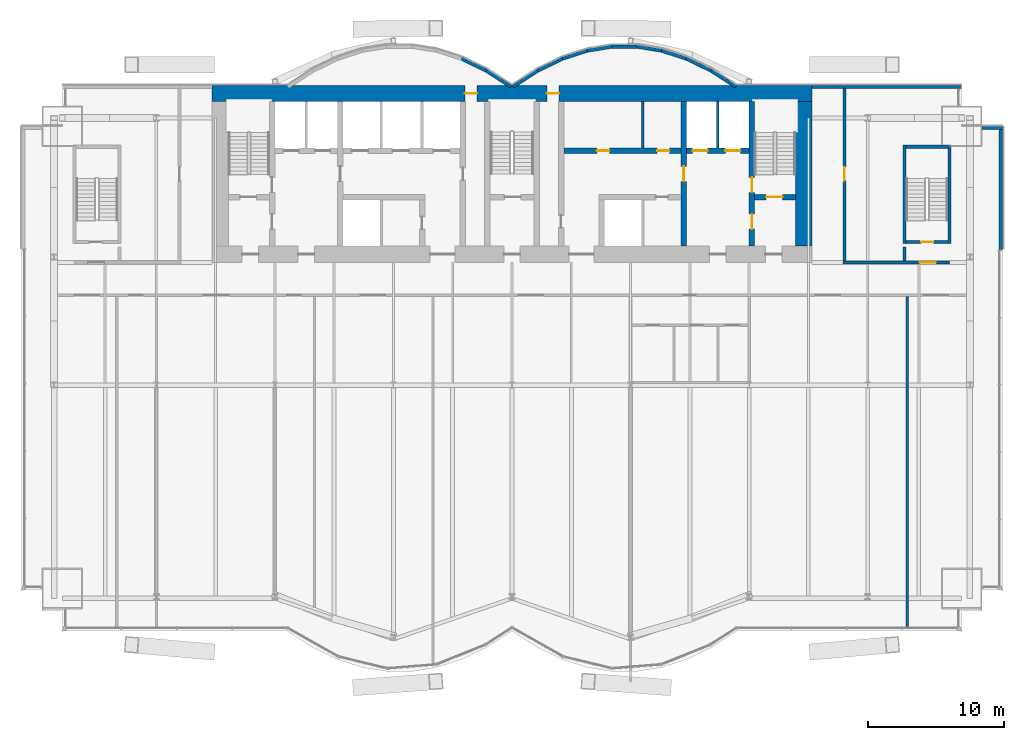
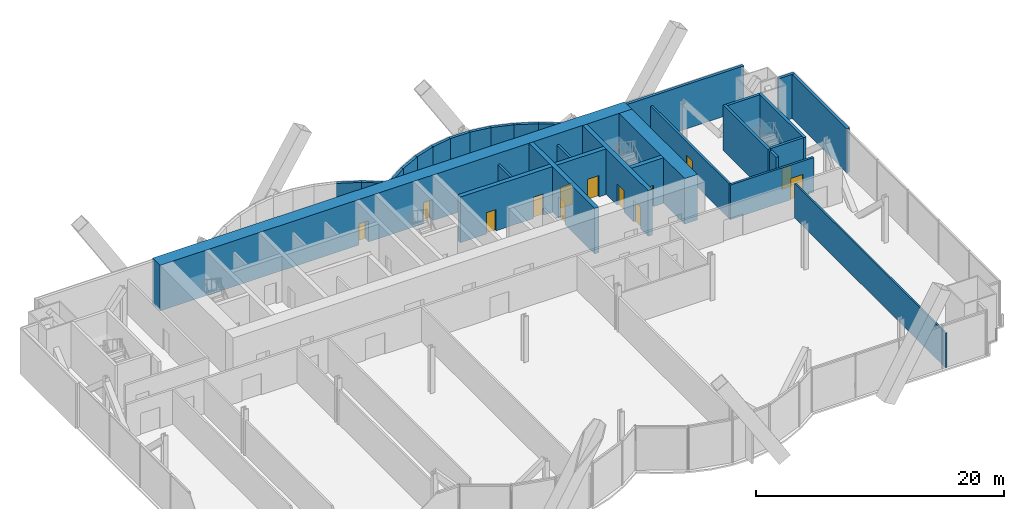
# One storey, part 18 of 22: 30 walls, 13 doors, 13 openings.
"""IFC4 building model written with IfcOpenShell, lengths in metres."""

from ifc_helpers import new_model, si_unit, direction, frame, frame_2d, origin, place, context, subcontext, project, spatial, rectangle, extrude, material, layer, layer_set, layer_usage, type_object, element, fill, save


model = new_model("IFC4")

# Units and contexts
model_context = context("Model", 3, precision=1e-05, world=origin(), true_north=direction((0.0, 1.0)))
body_context = subcontext(model_context, "Body", "Model", "MODEL_VIEW")
ifc_project = project(units=[si_unit("LENGTHUNIT", "METRE"), si_unit("AREAUNIT", "SQUARE_METRE"), si_unit("VOLUMEUNIT", "CUBIC_METRE"), si_unit("PLANEANGLEUNIT", "RADIAN"), si_unit("MASSUNIT", "GRAM", prefix="KILO")], contexts=[model_context])

# Site, building, storey
site_placement = place(None, origin())
site = spatial("IfcSite", under=ifc_project, at=site_placement, CompositionType="ELEMENT")
building_placement = place(site_placement, origin())
building = spatial("IfcBuilding", under=site, at=building_placement, Name="Bicima Exchange Tower", CompositionType="ELEMENT")
storey_placement = place(building_placement, frame((0.0, 0.0, 71.0)))
storey = spatial("IfcBuildingStorey", under=building, at=storey_placement, Name="L14", CompositionType="ELEMENT", Elevation=71.0)

# Wall
ifc_material_1 = material(Name="Gypsum board partition")
ifc_layer_1 = layer(ifc_material_1, 0.199951171875)
ifc_layer_set_1 = layer_set([ifc_layer_1], Name="Gypsum board partition")
wall_type_1 = type_object("IfcWallType", Name="Fire-rated gypsum partition 200 EI120", PredefinedType="PARTITIONING", material=ifc_layer_set_1)
wall_1_placement = place(storey_placement, frame((15.10009765625, -4.60009765625, 0.0), z_axis=(0.0, 0.0, 1.0), x_axis=(0.0, 1.0, 0.0)))
element("IfcWall", 1, at=wall_1_placement, inside=storey, type_object=wall_type_1, Name="partition wall 23", PredefinedType="PARTITIONING", context=body_context, shape_type="SweptSolid", body=[
    extrude(rectangle(XDim=3.400146484375, YDim=0.199951171875, at=frame_2d((1.7001953125, 0.0))), origin(), (0.0, 0.0, 1.0), 3.418212890625),
])

# Wall, opening, door
ifc_layer_2 = layer(ifc_material_1, 0.199951171875)
ifc_layer_set_2 = layer_set([ifc_layer_2], Name="Gypsum board partition")
wall_type_2 = type_object("IfcWallType", Name="Fire-rated gypsum partition 200 EI60", PredefinedType="PARTITIONING", material=ifc_layer_set_2)
wall_2_placement = place(storey_placement, frame((24.300048828125, -13.0, 0.0), z_axis=(0.0, 0.0, 1.0), x_axis=(1.0, 0.0, 0.0)))
wall_2 = element("IfcWall", 2, at=wall_2_placement, inside=storey, type_object=wall_type_2, Name="partition wall 5", PredefinedType="PARTITIONING", context=body_context, shape_type="SweptSolid", body=[
    extrude(rectangle(XDim=7.800048828125, YDim=0.199951171875, at=frame_2d((3.89990234375, 0.0))), origin(), (0.0, 0.0, 1.0), 3.418212890625),
])
opening_1_placement = place(wall_2_placement, frame((5.60009765625, 0.0, 0.0)))
opening_1 = element("IfcOpeningElement", 3, at=opening_1_placement, cuts=wall_2, Name="Opening L14-003", PredefinedType="OPENING", context=body_context, shape_type="SweptSolid", body=[
    extrude(rectangle(XDim=1.199951171875, YDim=2.10009765625, at=frame_2d((0.60009765625, 1.050048828125))), frame((0.0, 0.11181640625, 0.0), z_axis=(0.0, -1.0, 0.0), x_axis=(1.0, 0.0, 0.0)), (0.0, 0.0, 1.0), 0.223876953125),
])
ifc_material_2 = material(Name="Steel fire door leaf", Category="steel")
door_type_1 = type_object("IfcDoorType", Name="Door 1200 swing FD30S", OperationType="SINGLE_SWING_LEFT", PredefinedType="DOOR", material=ifc_material_2)
door_1_placement = place(opening_1_placement, origin())
door_1 = element("IfcDoor", 4, at=door_1_placement, inside=storey, type_object=door_type_1, Name="Door", OperationType="SINGLE_SWING_RIGHT", OverallHeight=2.10009765625, OverallWidth=1.199951171875, PredefinedType="DOOR", context=body_context, shape_type="SweptSolid", body=[
    extrude(rectangle(XDim=1.199951171875, YDim=2.10009765625, at=frame_2d((0.60009765625, 1.050048828125))), frame((0.0, 0.02490234375, 0.0), z_axis=(0.0, -1.0, 0.0), x_axis=(1.0, 0.0, 0.0)), (0.0, 0.0, 1.0), 0.050048828125),
])
fill(opening_1, door_1)

wall_3_placement = place(storey_placement, frame((24.39990234375, -12.89990234375, 0.0), z_axis=(0.0, 0.0, 1.0), x_axis=(0.0, 1.0, 0.0)))
wall_3 = element("IfcWall", 5, at=wall_3_placement, inside=storey, type_object=wall_type_2, Name="partition wall 25", PredefinedType="PARTITIONING", context=body_context, shape_type="SweptSolid", body=[
    extrude(rectangle(XDim=12.68994140625, YDim=0.199951171875, at=frame_2d((6.344970703125, 0.0))), origin(), (0.0, 0.0, 1.0), 3.418212890625),
])
opening_2_placement = place(wall_3_placement, frame((5.89990234375, 0.0, 0.0)))
opening_2 = element("IfcOpeningElement", 6, at=opening_2_placement, cuts=wall_3, Name="Opening L14-006", PredefinedType="OPENING", context=body_context, shape_type="SweptSolid", body=[
    extrude(rectangle(XDim=1.0, YDim=2.10009765625, at=frame_2d((0.5, 1.050048828125))), frame((0.0, 0.11181640625, 0.0), z_axis=(0.0, -1.0, 0.0), x_axis=(1.0, 0.0, 0.0)), (0.0, 0.0, 1.0), 0.223876953125),
])
door_type_2 = type_object("IfcDoorType", Name="Door 1000 swing FD30S", OperationType="SINGLE_SWING_LEFT", PredefinedType="DOOR", material=ifc_material_2)
door_2_placement = place(opening_2_placement, frame((1.0, 0.0, 0.0), z_axis=(0.0, 0.0, 1.0), x_axis=(-1.0, 0.0, 0.0)))
door_2 = element("IfcDoor", 7, at=door_2_placement, inside=storey, type_object=door_type_2, Name="Door", OperationType="SINGLE_SWING_RIGHT", OverallHeight=2.10009765625, OverallWidth=1.0, PredefinedType="DOOR", context=body_context, shape_type="SweptSolid", body=[
    extrude(rectangle(XDim=1.0, YDim=2.10009765625, at=frame_2d((0.5, 1.050048828125))), frame((0.0, 0.02490234375, 0.0), z_axis=(0.0, -1.0, 0.0), x_axis=(1.0, 0.0, 0.0)), (0.0, 0.0, 1.0), 0.050048828125),
])
fill(opening_2, door_2)

# Walls
wall_4_placement = place(storey_placement, frame((9.60009765625, -4.60009765625, 0.0), z_axis=(0.0, 0.0, 1.0), x_axis=(0.0, 1.0, 0.0)))
element("IfcWall", 8, at=wall_4_placement, inside=storey, type_object=wall_type_2, Name="partition wall 21", PredefinedType="PARTITIONING", context=body_context, shape_type="SweptSolid", body=[
    extrude(rectangle(XDim=3.400146484375, YDim=0.199951171875, at=frame_2d((1.7001953125, 0.0))), origin(), (0.0, 0.0, 1.0), 3.418212890625),
])
ifc_layer_3 = layer(ifc_material_1, 0.14990234375)
ifc_layer_set_3 = layer_set([ifc_layer_3], Name="Gypsum board partition")
wall_type_3 = type_object("IfcWallType", Name="Gypsum partition 150", PredefinedType="PARTITIONING", material=ifc_layer_set_3)
wall_5_placement = place(storey_placement, frame((29.0, -39.840087890625, 0.0), z_axis=(0.0, 0.0, 1.0), x_axis=(0.0, 1.0, 0.0)))
element("IfcWall", 9, at=wall_5_placement, inside=storey, type_object=wall_type_3, Name="partition wall 27", PredefinedType="PARTITIONING", context=body_context, shape_type="SweptSolid", body=[
    extrude(rectangle(XDim=24.340087890625, YDim=0.14990234375, at=frame_2d((12.169921875, 0.0))), origin(), (0.0, 0.0, 1.0), 3.418212890625),
])

# Wall, openings, doors
ifc_material_3 = material(Name="Concrete C60/75", Category="concrete")
ifc_layer_4 = layer(ifc_material_3, 1.199951171875)
ifc_layer_set_4 = layer_set([ifc_layer_4], Name="Concrete C60/75")
wall_type_4 = type_object("IfcWallType", Name="RC core wall 1200 C60/75", PredefinedType="SHEAR", material=ifc_layer_set_4)
wall_6_placement = place(storey_placement, frame((-22.0, -0.60009765625, 0.0), z_axis=(0.0, 0.0, 1.0), x_axis=(1.0, 0.0, 0.0)))
wall_6 = element("IfcWall", 10, at=wall_6_placement, inside=storey, type_object=wall_type_4, Name="Core wall north", PredefinedType="SHEAR", context=body_context, shape_type="SweptSolid", body=[
    extrude(rectangle(XDim=44.0, YDim=1.199951171875, at=frame_2d((22.0, 0.0))), origin(), (0.0, 0.0, 1.0), 4.5),
])
opening_3_placement = place(wall_6_placement, frame((18.550048828125, 0.0, 0.0)))
opening_3 = element("IfcOpeningElement", 11, at=opening_3_placement, cuts=wall_6, Name="Opening L14-C16", PredefinedType="OPENING", context=body_context, shape_type="SweptSolid", body=[
    extrude(rectangle(XDim=0.89990234375, YDim=2.10009765625, at=frame_2d((0.449951171875, 1.050048828125))), frame((0.0, 0.61181640625, 0.0), z_axis=(0.0, -1.0, 0.0), x_axis=(1.0, 0.0, 0.0)), (0.0, 0.0, 1.0), 1.223876953125),
])
opening_4_placement = place(wall_6_placement, frame((24.550048828125, 0.0, 0.0)))
opening_4 = element("IfcOpeningElement", 12, at=opening_4_placement, cuts=wall_6, Name="Opening L14-C17", PredefinedType="OPENING", context=body_context, shape_type="SweptSolid", body=[
    extrude(rectangle(XDim=0.89990234375, YDim=2.10009765625, at=frame_2d((0.449951171875, 1.050048828125))), frame((0.0, 0.61181640625, 0.0), z_axis=(0.0, -1.0, 0.0), x_axis=(1.0, 0.0, 0.0)), (0.0, 0.0, 1.0), 1.223876953125),
])
door_type_3 = type_object("IfcDoorType", Name="Door 900 swing FD30S", OperationType="SINGLE_SWING_LEFT", PredefinedType="DOOR", material=ifc_material_2)
door_3_placement = place(opening_3_placement, origin())
door_3 = element("IfcDoor", 13, at=door_3_placement, inside=storey, type_object=door_type_3, Name="Core door", OperationType="SINGLE_SWING_LEFT", OverallHeight=2.10009765625, OverallWidth=0.89990234375, PredefinedType="DOOR", context=body_context, shape_type="SweptSolid", body=[
    extrude(rectangle(XDim=0.89990234375, YDim=2.10009765625, at=frame_2d((0.449951171875, 1.050048828125))), frame((0.0, 0.02490234375, 0.0), z_axis=(0.0, -1.0, 0.0), x_axis=(1.0, 0.0, 0.0)), (0.0, 0.0, 1.0), 0.050048828125),
])
fill(opening_3, door_3)
door_4_placement = place(opening_4_placement, origin())
door_4 = element("IfcDoor", 14, at=door_4_placement, inside=storey, type_object=door_type_3, Name="Core door", OperationType="SINGLE_SWING_LEFT", OverallHeight=2.10009765625, OverallWidth=0.89990234375, PredefinedType="DOOR", context=body_context, shape_type="SweptSolid", body=[
    extrude(rectangle(XDim=0.89990234375, YDim=2.10009765625, at=frame_2d((0.449951171875, 1.050048828125))), frame((0.0, 0.02490234375, 0.0), z_axis=(0.0, -1.0, 0.0), x_axis=(1.0, 0.0, 0.0)), (0.0, 0.0, 1.0), 0.050048828125),
])
fill(opening_4, door_4)

# Walls
wall_7_placement = place(storey_placement, frame((21.39990234375, -11.800048828125, 0.0), z_axis=(0.0, 0.0, 1.0), x_axis=(0.0, 1.0, 0.0)))
element("IfcWall", 15, at=wall_7_placement, inside=storey, type_object=wall_type_4, Name="Core wall east", PredefinedType="SHEAR", context=body_context, shape_type="SweptSolid", body=[
    extrude(rectangle(XDim=10.60009765625, YDim=1.199951171875, at=frame_2d((5.300048828125, 0.0))), origin(), (0.0, 0.0, 1.0), 4.5),
])
ifc_material_4 = material(Name="Concrete C50/60", Category="concrete")
ifc_layer_5 = layer(ifc_material_4, 0.25)
ifc_layer_set_5 = layer_set([ifc_layer_5], Name="Concrete C50/60")
wall_type_5 = type_object("IfcWallType", Name="RC core wall 250 C50/60", PredefinedType="SHEAR", material=ifc_layer_set_5)
wall_8_placement = place(storey_placement, frame((28.800048828125, -12.89990234375, 0.0), z_axis=(0.0, 0.0, 1.0), x_axis=(0.0, 1.0, 0.0)))
element("IfcWall", 16, at=wall_8_placement, inside=storey, type_object=wall_type_5, Name="stair wall 26", PredefinedType="SHEAR", context=body_context, shape_type="SweptSolid", body=[
    extrude(rectangle(XDim=1.0498046875, YDim=0.25, at=frame_2d((0.52490234375, 0.0))), origin(), (0.0, 0.0, 1.0), 4.5),
])

# Wall, opening, door
ifc_layer_6 = layer(ifc_material_4, 0.39990234375)
ifc_layer_set_6 = layer_set([ifc_layer_6], Name="Concrete C50/60")
wall_type_6 = type_object("IfcWallType", Name="RC core wall 400 C50/60", PredefinedType="SHEAR", material=ifc_layer_set_6)
wall_9_placement = place(storey_placement, frame((17.800048828125, -8.199951171875, 0.0), z_axis=(0.0, 0.0, 1.0), x_axis=(1.0, 0.0, 0.0)))
wall_9 = element("IfcWall", 17, at=wall_9_placement, inside=storey, type_object=wall_type_6, Name="stair wall 5", PredefinedType="SHEAR", context=body_context, shape_type="SweptSolid", body=[
    extrude(rectangle(XDim=3.0, YDim=0.39990234375, at=frame_2d((1.5, 0.0))), origin(), (0.0, 0.0, 1.0), 4.5),
])
opening_5_placement = place(wall_9_placement, frame((0.85009765625, 0.0, 0.0)))
opening_5 = element("IfcOpeningElement", 18, at=opening_5_placement, cuts=wall_9, Name="Opening L14-C04", PredefinedType="OPENING", context=body_context, shape_type="SweptSolid", body=[
    extrude(rectangle(XDim=1.199951171875, YDim=2.10009765625, at=frame_2d((0.60009765625, 1.050048828125))), frame((0.0, 0.2119140625, 0.0), z_axis=(0.0, -1.0, 0.0), x_axis=(1.0, 0.0, 0.0)), (0.0, 0.0, 1.0), 0.423828125),
])
door_type_4 = type_object("IfcDoorType", Name="Door 1200 swing FD60S", OperationType="SINGLE_SWING_LEFT", PredefinedType="DOOR", material=ifc_material_2)
door_5_placement = place(opening_5_placement, origin())
door_5 = element("IfcDoor", 19, at=door_5_placement, inside=storey, type_object=door_type_4, Name="Core door", OperationType="SINGLE_SWING_RIGHT", OverallHeight=2.10009765625, OverallWidth=1.199951171875, PredefinedType="DOOR", context=body_context, shape_type="SweptSolid", body=[
    extrude(rectangle(XDim=1.199951171875, YDim=2.10009765625, at=frame_2d((0.60009765625, 1.050048828125))), frame((0.0, 0.02490234375, 0.0), z_axis=(0.0, -1.0, 0.0), x_axis=(1.0, 0.0, 0.0)), (0.0, 0.0, 1.0), 0.050048828125),
])
fill(opening_5, door_5)

# Wall, openings, doors
wall_10_placement = place(storey_placement, frame((17.60009765625, -11.800048828125, 0.0), z_axis=(0.0, 0.0, 1.0), x_axis=(0.0, 1.0, 0.0)))
wall_10 = element("IfcWall", 20, at=wall_10_placement, inside=storey, type_object=wall_type_6, Name="stair wall 24", PredefinedType="SHEAR", context=body_context, shape_type="SweptSolid", body=[
    extrude(rectangle(XDim=10.60009765625, YDim=0.39990234375, at=frame_2d((5.300048828125, 0.0))), origin(), (0.0, 0.0, 1.0), 4.5),
])
opening_6_placement = place(wall_10_placement, frame((1.25, 0.0, 0.0)))
opening_6 = element("IfcOpeningElement", 21, at=opening_6_placement, cuts=wall_10, Name="Opening L14-C05", PredefinedType="OPENING", context=body_context, shape_type="SweptSolid", body=[
    extrude(rectangle(XDim=1.10009765625, YDim=2.10009765625, at=frame_2d((0.550048828125, 1.050048828125))), frame((0.0, 0.2119140625, 0.0), z_axis=(0.0, -1.0, 0.0), x_axis=(1.0, 0.0, 0.0)), (0.0, 0.0, 1.0), 0.423828125),
])
opening_7_placement = place(wall_10_placement, frame((3.949951171875, 0.0, 0.0)))
opening_7 = element("IfcOpeningElement", 22, at=opening_7_placement, cuts=wall_10, Name="Opening L14-C08", PredefinedType="OPENING", context=body_context, shape_type="SweptSolid", body=[
    extrude(rectangle(XDim=1.10009765625, YDim=2.10009765625, at=frame_2d((0.550048828125, 1.050048828125))), frame((0.0, 0.2119140625, 0.0), z_axis=(0.0, -1.0, 0.0), x_axis=(1.0, 0.0, 0.0)), (0.0, 0.0, 1.0), 0.423828125),
])
door_type_5 = type_object("IfcDoorType", Name="Door 1100 swing FD60S", OperationType="SINGLE_SWING_LEFT", PredefinedType="DOOR", material=ifc_material_2)
door_6_placement = place(opening_6_placement, origin())
door_6 = element("IfcDoor", 23, at=door_6_placement, inside=storey, type_object=door_type_5, Name="Core door", OperationType="SINGLE_SWING_LEFT", OverallHeight=2.10009765625, OverallWidth=1.10009765625, PredefinedType="DOOR", context=body_context, shape_type="SweptSolid", body=[
    extrude(rectangle(XDim=1.10009765625, YDim=2.10009765625, at=frame_2d((0.550048828125, 1.050048828125))), frame((0.0, 0.02490234375, 0.0), z_axis=(0.0, -1.0, 0.0), x_axis=(1.0, 0.0, 0.0)), (0.0, 0.0, 1.0), 0.050048828125),
])
fill(opening_6, door_6)
door_7_placement = place(opening_7_placement, origin())
door_7 = element("IfcDoor", 24, at=door_7_placement, inside=storey, type_object=door_type_5, Name="Core door", OperationType="SINGLE_SWING_RIGHT", OverallHeight=2.10009765625, OverallWidth=1.10009765625, PredefinedType="DOOR", context=body_context, shape_type="SweptSolid", body=[
    extrude(rectangle(XDim=1.10009765625, YDim=2.10009765625, at=frame_2d((0.550048828125, 1.050048828125))), frame((0.0, 0.02490234375, 0.0), z_axis=(0.0, -1.0, 0.0), x_axis=(1.0, 0.0, 0.0)), (0.0, 0.0, 1.0), 0.050048828125),
])
fill(opening_7, door_7)

ifc_layer_7 = layer(ifc_material_3, 0.39990234375)
ifc_layer_set_7 = layer_set([ifc_layer_7], Name="Concrete C60/75")
wall_type_7 = type_object("IfcWallType", Name="RC core wall 400 C60/75", PredefinedType="SHEAR", material=ifc_layer_set_7)
wall_11_placement = place(storey_placement, frame((3.800048828125, -4.800048828125, 0.0), z_axis=(0.0, 0.0, 1.0), x_axis=(1.0, 0.0, 0.0)))
wall_11 = element("IfcWall", 25, at=wall_11_placement, inside=storey, type_object=wall_type_7, Name="shear wall 7", PredefinedType="SHEAR", context=body_context, shape_type="SweptSolid", body=[
    extrude(rectangle(XDim=13.599853515625, YDim=0.39990234375, at=frame_2d((6.7998046875, 0.0))), origin(), (0.0, 0.0, 1.0), 4.5),
])
opening_8_placement = place(wall_11_placement, frame((9.449951171875, 0.0, 0.0)))
opening_8 = element("IfcOpeningElement", 26, at=opening_8_placement, cuts=wall_11, Name="Opening LD-FF2-L14", PredefinedType="OPENING", context=body_context, shape_type="SweptSolid", body=[
    extrude(rectangle(XDim=1.10009765625, YDim=2.10009765625, at=frame_2d((0.550048828125, 1.050048828125))), frame((0.0, 0.2119140625, 0.0), z_axis=(0.0, -1.0, 0.0), x_axis=(1.0, 0.0, 0.0)), (0.0, 0.0, 1.0), 0.423828125),
])
opening_9_placement = place(wall_11_placement, frame((11.85009765625, 0.0, 0.0)))
opening_9 = element("IfcOpeningElement", 27, at=opening_9_placement, cuts=wall_11, Name="Opening LD-SV1-L14", PredefinedType="OPENING", context=body_context, shape_type="SweptSolid", body=[
    extrude(rectangle(XDim=1.10009765625, YDim=2.10009765625, at=frame_2d((0.550048828125, 1.050048828125))), frame((0.0, 0.2119140625, 0.0), z_axis=(0.0, -1.0, 0.0), x_axis=(1.0, 0.0, 0.0)), (0.0, 0.0, 1.0), 0.423828125),
])
opening_10_placement = place(wall_11_placement, frame((2.449951171875, 0.0, 0.0)))
opening_10 = element("IfcOpeningElement", 28, at=opening_10_placement, cuts=wall_11, Name="Opening L14-C12", PredefinedType="OPENING", context=body_context, shape_type="SweptSolid", body=[
    extrude(rectangle(XDim=0.89990234375, YDim=2.10009765625, at=frame_2d((0.449951171875, 1.050048828125))), frame((0.0, 0.2119140625, 0.0), z_axis=(0.0, -1.0, 0.0), x_axis=(1.0, 0.0, 0.0)), (0.0, 0.0, 1.0), 0.423828125),
])
opening_11_placement = place(wall_11_placement, frame((6.85009765625, 0.0, 0.0)))
opening_11 = element("IfcOpeningElement", 29, at=opening_11_placement, cuts=wall_11, Name="Opening L14-C13", PredefinedType="OPENING", context=body_context, shape_type="SweptSolid", body=[
    extrude(rectangle(XDim=0.89990234375, YDim=2.10009765625, at=frame_2d((0.449951171875, 1.050048828125))), frame((0.0, 0.2119140625, 0.0), z_axis=(0.0, -1.0, 0.0), x_axis=(1.0, 0.0, 0.0)), (0.0, 0.0, 1.0), 0.423828125),
])
door_8_placement = place(opening_10_placement, origin())
door_8 = element("IfcDoor", 30, at=door_8_placement, inside=storey, type_object=door_type_3, Name="Core door", OperationType="SINGLE_SWING_RIGHT", OverallHeight=2.10009765625, OverallWidth=0.89990234375, PredefinedType="DOOR", context=body_context, shape_type="SweptSolid", body=[
    extrude(rectangle(XDim=0.89990234375, YDim=2.10009765625, at=frame_2d((0.449951171875, 1.050048828125))), frame((0.0, 0.02490234375, 0.0), z_axis=(0.0, -1.0, 0.0), x_axis=(1.0, 0.0, 0.0)), (0.0, 0.0, 1.0), 0.050048828125),
])
fill(opening_10, door_8)
door_9_placement = place(opening_11_placement, origin())
door_9 = element("IfcDoor", 31, at=door_9_placement, inside=storey, type_object=door_type_3, Name="Core door", OperationType="SINGLE_SWING_LEFT", OverallHeight=2.10009765625, OverallWidth=0.89990234375, PredefinedType="DOOR", context=body_context, shape_type="SweptSolid", body=[
    extrude(rectangle(XDim=0.89990234375, YDim=2.10009765625, at=frame_2d((0.449951171875, 1.050048828125))), frame((0.0, 0.02490234375, 0.0), z_axis=(0.0, -1.0, 0.0), x_axis=(1.0, 0.0, 0.0)), (0.0, 0.0, 1.0), 0.050048828125),
])
fill(opening_11, door_9)
ifc_material_5 = material(Name="Stainless steel", Category="steel")
door_type_6 = type_object("IfcDoorType", Name="Lift landing door 1100 sliding", OperationType="DOUBLE_DOOR_SLIDING", PredefinedType="DOOR", material=ifc_material_5)
door_10_placement = place(opening_8_placement, origin())
door_10 = element("IfcDoor", 32, at=door_10_placement, inside=storey, type_object=door_type_6, Name="Lift landing door FF2", OperationType="DOUBLE_DOOR_SLIDING", OverallHeight=2.10009765625, OverallWidth=1.10009765625, PredefinedType="DOOR", context=body_context, shape_type="SweptSolid", body=[
    extrude(rectangle(XDim=1.10009765625, YDim=2.10009765625, at=frame_2d((0.550048828125, 1.050048828125))), frame((0.0, 0.02490234375, 0.0), z_axis=(0.0, -1.0, 0.0), x_axis=(1.0, 0.0, 0.0)), (0.0, 0.0, 1.0), 0.050048828125),
])
fill(opening_8, door_10)
door_11_placement = place(opening_9_placement, origin())
door_11 = element("IfcDoor", 33, at=door_11_placement, inside=storey, type_object=door_type_6, Name="Lift landing door SV1", OperationType="DOUBLE_DOOR_SLIDING", OverallHeight=2.10009765625, OverallWidth=1.10009765625, PredefinedType="DOOR", context=body_context, shape_type="SweptSolid", body=[
    extrude(rectangle(XDim=1.10009765625, YDim=2.10009765625, at=frame_2d((0.550048828125, 1.050048828125))), frame((0.0, 0.02490234375, 0.0), z_axis=(0.0, -1.0, 0.0), x_axis=(1.0, 0.0, 0.0)), (0.0, 0.0, 1.0), 0.050048828125),
])
fill(opening_9, door_11)

# Wall, opening, door
wall_12_placement = place(storey_placement, frame((12.60009765625, -11.800048828125, 0.0), z_axis=(0.0, 0.0, 1.0), x_axis=(0.0, 1.0, 0.0)))
wall_12 = element("IfcWall", 34, at=wall_12_placement, inside=storey, type_object=wall_type_7, Name="shear wall 22", PredefinedType="SHEAR", context=body_context, shape_type="SweptSolid", body=[
    extrude(rectangle(XDim=10.60009765625, YDim=0.39990234375, at=frame_2d((5.300048828125, 0.0))), origin(), (0.0, 0.0, 1.0), 4.5),
])
opening_12_placement = place(wall_12_placement, frame((4.75, 0.0, 0.0)))
opening_12 = element("IfcOpeningElement", 35, at=opening_12_placement, cuts=wall_12, Name="Opening L14-C09", PredefinedType="OPENING", context=body_context, shape_type="SweptSolid", body=[
    extrude(rectangle(XDim=1.10009765625, YDim=2.10009765625, at=frame_2d((0.550048828125, 1.050048828125))), frame((0.0, 0.2119140625, 0.0), z_axis=(0.0, -1.0, 0.0), x_axis=(1.0, 0.0, 0.0)), (0.0, 0.0, 1.0), 0.423828125),
])
door_12_placement = place(opening_12_placement, frame((1.10009765625, 0.0, 0.0), z_axis=(0.0, 0.0, 1.0), x_axis=(-1.0, 0.0, 0.0)))
door_12 = element("IfcDoor", 36, at=door_12_placement, inside=storey, type_object=door_type_5, Name="Core door", OperationType="SINGLE_SWING_RIGHT", OverallHeight=2.10009765625, OverallWidth=1.10009765625, PredefinedType="DOOR", context=body_context, shape_type="SweptSolid", body=[
    extrude(rectangle(XDim=1.10009765625, YDim=2.10009765625, at=frame_2d((0.550048828125, 1.050048828125))), frame((0.0, 0.02490234375, 0.0), z_axis=(0.0, -1.0, 0.0), x_axis=(1.0, 0.0, 0.0)), (0.0, 0.0, 1.0), 0.050048828125),
])
fill(opening_12, door_12)

# Walls
ifc_layer_8 = layer(ifc_material_4, 0.25)
ifc_layer_set_8 = layer_set([ifc_layer_8], Name="Concrete C50/60")
wall_type_8 = type_object("IfcWallType", Name="RC stair enclosure wall 250 C50/60", PredefinedType="SHEAR", material=ifc_layer_set_8)
for number, where, z_axis, x_axis, name in (
    (37, (28.800048828125, -11.625, 0.0), (0.0, 0.0, 1.0), (0.0, 1.0, 0.0), "East end exit stair wall W"),
    (38, (32.10009765625, -11.625, 0.0), (0.0, 0.0, 1.0), (0.0, 1.0, 0.0), "East end exit stair wall E"),
):
    element("IfcWall", number, at=place(storey_placement, frame(where, z_axis=z_axis, x_axis=x_axis)), inside=storey, type_object=wall_type_8, Name=name, PredefinedType="SHEAR", context=body_context, shape_type="SweptSolid", body=[
        extrude(rectangle(XDim=7.25, YDim=0.25, at=frame_2d((3.625, 0.0))), origin(), (0.0, 0.0, 1.0), 4.5),
    ])

# Wall, opening, door
wall_13_placement = place(storey_placement, frame((28.925048828125, -11.5, 0.0), z_axis=(0.0, 0.0, 1.0), x_axis=(1.0, 0.0, 0.0)))
wall_13 = element("IfcWall", 39, at=wall_13_placement, inside=storey, type_object=wall_type_8, Name="East end exit stair wall S", PredefinedType="SHEAR", context=body_context, shape_type="SweptSolid", body=[
    extrude(rectangle(XDim=3.050048828125, YDim=0.25, at=frame_2d((1.52490234375, 0.0))), origin(), (0.0, 0.0, 1.0), 4.5),
])
opening_13_placement = place(wall_13_placement, frame((1.10009765625, 0.0, 0.0)))
opening_13 = element("IfcOpeningElement", 40, at=opening_13_placement, cuts=wall_13, Name="Opening L14-004", PredefinedType="OPENING", context=body_context, shape_type="SweptSolid", body=[
    extrude(rectangle(XDim=0.89990234375, YDim=2.10009765625, at=frame_2d((0.449951171875, 1.050048828125))), frame((0.0, 0.136962890625, 0.0), z_axis=(0.0, -1.0, 0.0), x_axis=(1.0, 0.0, 0.0)), (0.0, 0.0, 1.0), 0.27392578125),
])
door_type_7 = type_object("IfcDoorType", Name="Door 900 swing FD60S", OperationType="SINGLE_SWING_LEFT", PredefinedType="DOOR", material=ifc_material_2)
door_13_placement = place(opening_13_placement, origin())
door_13 = element("IfcDoor", 41, at=door_13_placement, inside=storey, type_object=door_type_7, Name="Door", OperationType="SINGLE_SWING_LEFT", OverallHeight=2.10009765625, OverallWidth=0.89990234375, PredefinedType="DOOR", context=body_context, shape_type="SweptSolid", body=[
    extrude(rectangle(XDim=0.89990234375, YDim=2.10009765625, at=frame_2d((0.449951171875, 1.050048828125))), frame((0.0, 0.02490234375, 0.0), z_axis=(0.0, -1.0, 0.0), x_axis=(1.0, 0.0, 0.0)), (0.0, 0.0, 1.0), 0.050048828125),
])
fill(opening_13, door_13)

# Walls
wall_14_placement = place(storey_placement, frame((28.925048828125, -4.5, 0.0), z_axis=(0.0, 0.0, 1.0), x_axis=(1.0, 0.0, 0.0)))
element("IfcWall", 42, at=wall_14_placement, inside=storey, type_object=wall_type_8, Name="East end exit stair wall N", PredefinedType="SHEAR", context=body_context, shape_type="SweptSolid", body=[
    extrude(rectangle(XDim=3.050048828125, YDim=0.25, at=frame_2d((1.52490234375, 0.0))), origin(), (0.0, 0.0, 1.0), 4.5),
])
ifc_material_6 = material(Name="Concrete C40/50", Category="concrete")
ifc_layer_9 = layer(ifc_material_6, 0.25)
ifc_layer_set_9 = layer_set([ifc_layer_9], Name="Concrete C40/50")
ifc_layer_usage = layer_usage(ifc_layer_set_9, "AXIS2", "POSITIVE", -0.125)
wall_type_9 = type_object("IfcWallType", Name="Rear backup wall 250", PredefinedType="STANDARD", material=ifc_layer_set_9)
wall_15_placement = place(storey_placement, frame((33.0, -0.125, 0.0), z_axis=(0.0, 0.0, 1.0), x_axis=(-1.0, 0.0, 0.0)))
element("IfcWall", 43, at=wall_15_placement, inside=storey, type_object=wall_type_9, material=ifc_layer_usage, Name="Rear backup wall L14 1", PredefinedType="STANDARD", context=body_context, shape_type="SweptSolid", body=[
    extrude(rectangle(XDim=11.0, YDim=0.25, at=frame_2d((5.5, 0.0))), origin(), (0.0, 0.0, 1.0), 4.35009765625),
])
wall_16_placement = place(storey_placement, frame((16.43212890625, -0.10498046875, 0.0), z_axis=(0.0, 0.0, 1.0), x_axis=(-0.83981312244, 0.542875602121, 0.0)))
element("IfcWall", 44, at=wall_16_placement, inside=storey, type_object=wall_type_9, material=ifc_layer_usage, Name="Rear backup wall L14 2", PredefinedType="STANDARD", context=body_context, shape_type="SweptSolid", body=[
    extrude(rectangle(XDim=2.182861328125, YDim=0.25, at=frame_2d((1.09130859375, 0.0))), origin(), (0.0, 0.0, 1.0), 4.35009765625),
])
wall_17_placement = place(storey_placement, frame((14.6123046875, 1.07275390625, 0.0), z_axis=(0.0, 0.0, 1.0), x_axis=(-0.89982408427, 0.436252928206, 0.0)))
element("IfcWall", 45, at=wall_17_placement, inside=storey, type_object=wall_type_9, material=ifc_layer_usage, Name="Rear backup wall L14 3", PredefinedType="STANDARD", context=body_context, shape_type="SweptSolid", body=[
    extrude(rectangle(XDim=2.03759765625, YDim=0.25, at=frame_2d((1.018798828125, 0.0))), origin(), (0.0, 0.0, 1.0), 4.35009765625),
])
wall_18_placement = place(storey_placement, frame((12.794921875, 1.955078125, 0.0), z_axis=(0.0, 0.0, 1.0), x_axis=(-0.951495806175, 0.307661714928, 0.0)))
element("IfcWall", 46, at=wall_18_placement, inside=storey, type_object=wall_type_9, material=ifc_layer_usage, Name="Rear backup wall L14 4", PredefinedType="STANDARD", context=body_context, shape_type="SweptSolid", body=[
    extrude(rectangle(XDim=1.9267578125, YDim=0.25, at=frame_2d((0.96337890625, 0.0))), origin(), (0.0, 0.0, 1.0), 4.35009765625),
])
wall_19_placement = place(storey_placement, frame((10.97998046875, 2.543212890625, 0.0), z_axis=(0.0, 0.0, 1.0), x_axis=(-0.987181718931, 0.159600293885, 0.0)))
element("IfcWall", 47, at=wall_19_placement, inside=storey, type_object=wall_type_9, material=ifc_layer_usage, Name="Rear backup wall L14 5", PredefinedType="STANDARD", context=body_context, shape_type="SweptSolid", body=[
    extrude(rectangle(XDim=1.857177734375, YDim=0.25, at=frame_2d((0.9287109375, 0.0))), origin(), (0.0, 0.0, 1.0), 4.35009765625),
])
wall_20_placement = place(storey_placement, frame((9.166748046875, 2.837890625, 0.0), z_axis=(0.0, 0.0, 1.0), x_axis=(-1.0, 0.0, 0.0)))
element("IfcWall", 48, at=wall_20_placement, inside=storey, type_object=wall_type_9, material=ifc_layer_usage, Name="Rear backup wall L14 6", PredefinedType="STANDARD", context=body_context, shape_type="SweptSolid", body=[
    extrude(rectangle(XDim=1.83349609375, YDim=0.25, at=frame_2d((0.916748046875, 0.0))), origin(), (0.0, 0.0, 1.0), 4.35009765625),
])
wall_21_placement = place(storey_placement, frame((7.353271484375, 2.839599609375, 0.0), z_axis=(0.0, 0.0, 1.0), x_axis=(-0.987181718931, -0.159600293885, 0.0)))
element("IfcWall", 49, at=wall_21_placement, inside=storey, type_object=wall_type_9, material=ifc_layer_usage, Name="Rear backup wall L14 7", PredefinedType="STANDARD", context=body_context, shape_type="SweptSolid", body=[
    extrude(rectangle(XDim=1.857177734375, YDim=0.25, at=frame_2d((0.9287109375, 0.0))), origin(), (0.0, 0.0, 1.0), 4.35009765625),
])
wall_22_placement = place(storey_placement, frame((5.538330078125, 2.5478515625, 0.0), z_axis=(0.0, 0.0, 1.0), x_axis=(-0.951495806175, -0.307661714928, 0.0)))
element("IfcWall", 50, at=wall_22_placement, inside=storey, type_object=wall_type_9, material=ifc_layer_usage, Name="Rear backup wall L14 8", PredefinedType="STANDARD", context=body_context, shape_type="SweptSolid", body=[
    extrude(rectangle(XDim=1.9267578125, YDim=0.25, at=frame_2d((0.96337890625, 0.0))), origin(), (0.0, 0.0, 1.0), 4.35009765625),
])
wall_23_placement = place(storey_placement, frame((3.72119140625, 1.961669921875, 0.0), z_axis=(0.0, 0.0, 1.0), x_axis=(-0.89982408427, -0.436252928206, 0.0)))
element("IfcWall", 51, at=wall_23_placement, inside=storey, type_object=wall_type_9, material=ifc_layer_usage, Name="Rear backup wall L14 9", PredefinedType="STANDARD", context=body_context, shape_type="SweptSolid", body=[
    extrude(rectangle(XDim=2.03759765625, YDim=0.25, at=frame_2d((1.018798828125, 0.0))), origin(), (0.0, 0.0, 1.0), 4.35009765625),
])
for number, where, z_axis, x_axis, name in (
    (52, (1.901123046875, 1.080078125, 0.0), (0.0, 0.0, 1.0), (-0.83981312244, -0.542875602121, 0.0), "Rear backup wall L14 10"),
    (53, (-0.06787109375, -0.10498046875, 0.0), (0.0, 0.0, 1.0), (-0.83981312244, 0.542875602121, 0.0), "Rear backup wall L14 11"),
):
    element("IfcWall", number, at=place(storey_placement, frame(where, z_axis=z_axis, x_axis=x_axis)), inside=storey, type_object=wall_type_9, material=ifc_layer_usage, Name=name, PredefinedType="STANDARD", context=body_context, shape_type="SweptSolid", body=[
        extrude(rectangle(XDim=2.182861328125, YDim=0.25, at=frame_2d((1.09130859375, 0.0))), origin(), (0.0, 0.0, 1.0), 4.35009765625),
    ])
wall_24_placement = place(storey_placement, frame((-1.8876953125, 1.07275390625, 0.0), z_axis=(0.0, 0.0, 1.0), x_axis=(-0.89982408427, 0.436252928206, 0.0)))
element("IfcWall", 54, at=wall_24_placement, inside=storey, type_object=wall_type_9, material=ifc_layer_usage, Name="Rear backup wall L14 12", PredefinedType="STANDARD", context=body_context, shape_type="SweptSolid", body=[
    extrude(rectangle(XDim=2.03759765625, YDim=0.25, at=frame_2d((1.018798828125, 0.0))), origin(), (0.0, 0.0, 1.0), 4.35009765625),
])
wall_25_placement = place(storey_placement, frame((35.875, -12.090087890625, 0.0), z_axis=(0.0, 0.0, 1.0), x_axis=(0.0, 1.0, 0.0)))
element("IfcWall", 55, at=wall_25_placement, inside=storey, type_object=wall_type_9, material=ifc_layer_usage, Name="Rear backup wall L14 50", PredefinedType="STANDARD", context=body_context, shape_type="SweptSolid", body=[
    extrude(rectangle(XDim=9.090087890625, YDim=0.25, at=frame_2d((4.544921875, 0.0))), origin(), (0.0, 0.0, 1.0), 4.35009765625),
])
wall_26_placement = place(storey_placement, frame((36.0, -3.125, 0.0), z_axis=(0.0, 0.0, 1.0), x_axis=(-1.0, 0.0, 0.0)))
element("IfcWall", 56, at=wall_26_placement, inside=storey, type_object=wall_type_9, material=ifc_layer_usage, Name="Rear backup wall L14 51", PredefinedType="STANDARD", context=body_context, shape_type="SweptSolid", body=[
    extrude(rectangle(XDim=1.5, YDim=0.25, at=frame_2d((0.75, 0.0))), origin(), (0.0, 0.0, 1.0), 4.35009765625),
])

save(model, "model.ifc")
